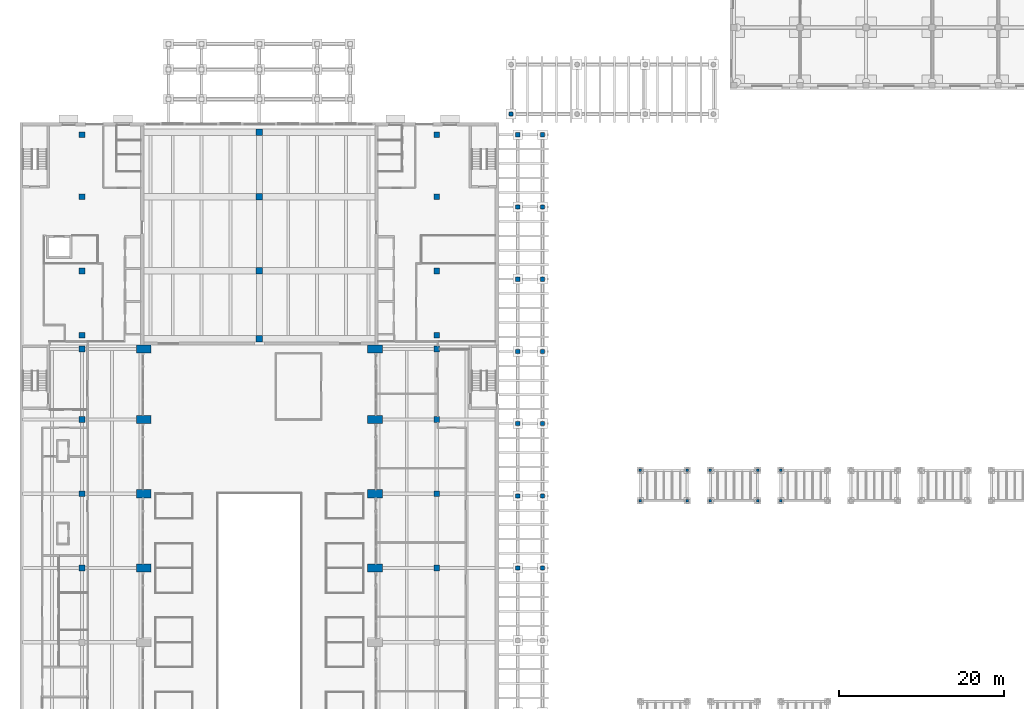
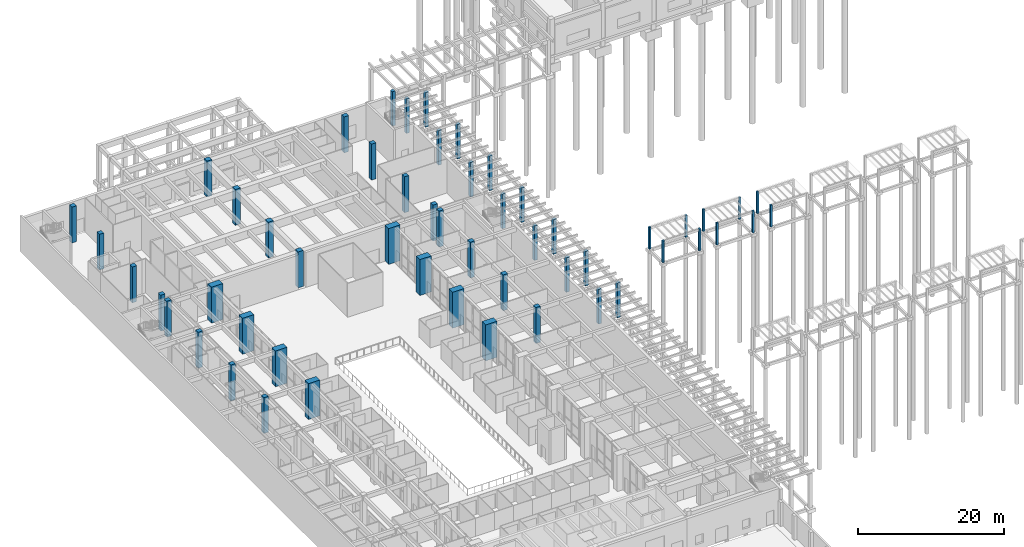
# One storey, part 7 of 51: 53 columns.
"""IFC4 building model written with IfcOpenShell, lengths in metres."""

import ifcopenshell
import ifcopenshell.guid

model = None  # the IFC model being written
_history = None  # IfcOwnerHistory: only IFC2X3 demands one
_inside = {}  # id of a spatial element -> (the spatial element, [elements in it])
_under = {}  # id of a project, library or spatial element -> (it, [spatial elements below it])
_declared = {}  # id of a project -> (the project, [libraries it declares])
_typed = {}  # id of a type object -> (the type object, [elements of that type])
_made_of = {}  # id of a material, layer set ... -> (it, [elements and type objects made of it])


def new_model(schema):
    """Start an empty IFC model of exactly this schema.

    Asked for "IFC4X3", IfcOpenShell would pick the latest addendum, in which some entities
    have other attributes; the version numbers below select the first issue.
    IFC2X3 requires an IfcOwnerHistory on every rooted entity: one is made here for all.
    """
    global model, _history
    if schema == "IFC4X3":
        model = ifcopenshell.file(schema_version=(4, 3, 0, 0))
    else:
        model = ifcopenshell.file(schema=schema)
    _inside.clear()
    _under.clear()
    _declared.clear()
    _typed.clear()
    _made_of.clear()
    _history = None
    if model.schema == "IFC2X3":
        org = make("IfcOrganization", Name="unknown")
        user = make(
            "IfcPersonAndOrganization",
            ThePerson=make("IfcPerson", FamilyName="unknown"),
            TheOrganization=org,
        )
        app = make(
            "IfcApplication",
            ApplicationDeveloper=org,
            Version="unknown",
            ApplicationFullName="unknown",
            ApplicationIdentifier="unknown",
        )
        _history = make(
            "IfcOwnerHistory",
            OwningUser=user,
            OwningApplication=app,
            ChangeAction="ADDED",
            CreationDate=0,
        )
    return model


def make(cls, **values):
    """One entity of the class cls with the attributes given. An attribute that is None is left unset."""
    return model.create_entity(
        cls, **{name: value for name, value in values.items() if value is not None}
    )


def rooted(cls, **values):
    """An entity with a GlobalId (a new one), such as an element, a storey or a relation."""
    return make(cls, GlobalId=ifcopenshell.guid.new(), OwnerHistory=_history, **values)


def si_unit(unit_type, name, prefix=None):
    """IfcSIUnit, for example si_unit("LENGTHUNIT", "METRE", prefix="MILLI")."""
    return make("IfcSIUnit", UnitType=unit_type, Prefix=prefix, Name=name)


def assignment(units):
    """IfcUnitAssignment: the units of a project."""
    return None if units is None else make("IfcUnitAssignment", Units=units)


def point(xyz):
    """IfcCartesianPoint."""
    return None if xyz is None else make("IfcCartesianPoint", Coordinates=xyz)


def direction(xyz):
    """IfcDirection."""
    return None if xyz is None else make("IfcDirection", DirectionRatios=xyz)


def frame(location, z_axis=None, x_axis=None):
    """IfcAxis2Placement3D, a coordinate frame: its origin and axes. An axis left out is left unset."""
    return make(
        "IfcAxis2Placement3D",
        Location=point(location),
        Axis=direction(z_axis),
        RefDirection=direction(x_axis),
    )


def frame_2d(location, x_axis=None):
    """IfcAxis2Placement2D, a coordinate frame in the plane: its origin and x axis."""
    return make(
        "IfcAxis2Placement2D", Location=point(location), RefDirection=direction(x_axis)
    )


def origin():
    """The frame at (0, 0, 0) with its axes left unset."""
    return frame((0.0, 0.0, 0.0))


def origin_2d():
    """The frame at (0, 0) in the plane with its x axis left unset."""
    return frame_2d((0.0, 0.0))


def place(relative_to, where):
    """IfcLocalPlacement: puts the frame where relative to a parent placement (None: the world)."""
    return make(
        "IfcLocalPlacement", PlacementRelTo=relative_to, RelativePlacement=where
    )


def context(
    kind, dimensions, precision=None, world=None, true_north=None, identifier=None
):
    """IfcGeometricRepresentationContext, for example the 3D "Model" context."""
    return make(
        "IfcGeometricRepresentationContext",
        ContextIdentifier=identifier,
        ContextType=kind,
        CoordinateSpaceDimension=dimensions,
        Precision=precision,
        WorldCoordinateSystem=world,
        TrueNorth=true_north,
    )


def subcontext(parent, identifier, kind, view, scale=None):
    """IfcGeometricRepresentationSubContext, for example "Body" below "Model"."""
    return make(
        "IfcGeometricRepresentationSubContext",
        ContextIdentifier=identifier,
        ContextType=kind,
        ParentContext=parent,
        TargetScale=scale,
        TargetView=view,
    )


def project(units=None, contexts=None):
    """IfcProject with its units and contexts."""
    return rooted(
        "IfcProject",
        Name="project",
        RepresentationContexts=contexts,
        UnitsInContext=assignment(units),
    )


def spatial(cls, under=None, at=None, **own):
    """A site, building, storey or space (cls), placed at a placement, below another one or the project."""
    s = rooted(cls, ObjectPlacement=at, **own)
    if under is not None:
        _under.setdefault(under.id(), (under, []))[1].append(s)
    return s


def profile(cls, at=None, kind="AREA", **sizes):
    """A parametric profile (cls). Its sizes go by their IFC names, for example OverallWidth=200.0."""
    return make(cls, ProfileType=kind, Position=at, **sizes)


def rectangle(**sizes):
    """IfcRectangleProfileDef."""
    return profile("IfcRectangleProfileDef", **sizes)


def extrude(swept, where, along, depth):
    """IfcExtrudedAreaSolid: the profile swept, set in the frame where, extruded along a direction by depth."""
    return make(
        "IfcExtrudedAreaSolid",
        SweptArea=swept,
        Position=where,
        ExtrudedDirection=direction(along),
        Depth=depth,
    )


def shape(context_of_items, identifier, shape_type, items):
    """IfcShapeRepresentation: the items that make up one representation, for example the "Body"."""
    return make(
        "IfcShapeRepresentation",
        ContextOfItems=context_of_items,
        RepresentationIdentifier=identifier,
        RepresentationType=shape_type,
        Items=items,
    )


def material(Name=None, Category=None):
    """IfcMaterial."""
    return make("IfcMaterial", Name=Name, Category=Category)


def material_profile(
    of_material, cross_section, Name=None, Category=None, Priority=None
):
    """IfcMaterialProfile: a cross section and its material."""
    return make(
        "IfcMaterialProfile",
        Name=Name,
        Material=of_material,
        Profile=cross_section,
        Priority=Priority,
        Category=Category,
    )


def profile_set(profiles, Name=None, composite=None):
    """IfcMaterialProfileSet."""
    return make(
        "IfcMaterialProfileSet",
        Name=Name,
        MaterialProfiles=profiles,
        CompositeProfile=composite,
    )


def made_of(thing, what):
    """Note that an element or type object is made of a material, layer set ...; save() writes the relation."""
    if what is not None:
        _made_of.setdefault(what.id(), (what, []))[1].append(thing)
    return thing


def type_object(cls, material=None, **own):
    """A type object (cls), such as IfcWallType, which elements share."""
    return made_of(rooted(cls, **own), material)


def element(
    cls,
    number,
    at=None,
    inside=None,
    cuts=None,
    type_object=None,
    material=None,
    context=None,
    identifier="Body",
    shape_type=None,
    held_by="IfcProductDefinitionShape",
    body=None,
    shapes=None,
    **own,
):
    """One element of the class cls, such as IfcWall. Its Tag is "e" and its number.

    at: its placement. inside: the storey or other place that contains it. cuts: it is an
    opening in that element (IfcRelVoidsElement). A single representation is given by context,
    identifier, shape_type and body (its items); several are given by shapes. held_by: the class
    of the entity that holds the representations. save() writes the other relations.
    """
    e = rooted(cls, Tag="e%d" % number, ObjectPlacement=at, **own)
    if body is not None:
        shapes = [shape(context, identifier, shape_type, body)]
    if shapes is not None:
        e.Representation = make(held_by, Representations=shapes)
    if inside is not None:
        _inside.setdefault(inside.id(), (inside, []))[1].append(e)
    if cuts is not None:
        rooted(
            "IfcRelVoidsElement", RelatingBuildingElement=cuts, RelatedOpeningElement=e
        )
    if type_object is not None:
        _typed.setdefault(type_object.id(), (type_object, []))[1].append(e)
    return made_of(e, material)


def aggregate(whole, parts):
    """IfcRelAggregates: a whole, such as a stair, and the parts it consists of."""
    return rooted("IfcRelAggregates", RelatingObject=whole, RelatedObjects=parts)


def save(model, path):
    """Write the relations noted so far, then the file.

    IfcRelAggregates (storeys below a building ...), IfcRelContainedInSpatialStructure (elements
    in a storey), IfcRelDefinesByType, IfcRelAssociatesMaterial and IfcRelDeclares: one each for
    every whole, place, type object, material and project.
    """
    for whole, parts in _under.values():
        aggregate(whole, parts)
    for where, things in _inside.values():
        rooted(
            "IfcRelContainedInSpatialStructure",
            RelatedElements=things,
            RelatingStructure=where,
        )
    for kind, things in _typed.values():
        rooted("IfcRelDefinesByType", RelatedObjects=things, RelatingType=kind)
    for what, things in _made_of.values():
        rooted("IfcRelAssociatesMaterial", RelatedObjects=things, RelatingMaterial=what)
    for by, libraries in _declared.values():
        rooted("IfcRelDeclares", RelatingContext=by, RelatedDefinitions=libraries)
    model.write(path)


model = new_model("IFC4")

# Units and contexts
model_context = context("Model", 3, precision=1e-05, world=origin(), true_north=direction((0.0, 1.0)))
body_context = subcontext(model_context, "Body", "Model", "MODEL_VIEW")
ifc_project = project(units=[si_unit("LENGTHUNIT", "METRE"), si_unit("AREAUNIT", "SQUARE_METRE"), si_unit("VOLUMEUNIT", "CUBIC_METRE"), si_unit("PLANEANGLEUNIT", "RADIAN"), si_unit("MASSUNIT", "GRAM", prefix="KILO")], contexts=[model_context])

# Site, building, storey
site_placement = place(None, origin())
site = spatial("IfcSite", under=ifc_project, at=site_placement, CompositionType="ELEMENT")
building_placement = place(site_placement, origin())
building = spatial("IfcBuilding", under=site, at=building_placement, Name="Elmora Arch Market Hall", CompositionType="ELEMENT")
storey_placement = place(building_placement, origin())
storey = spatial("IfcBuildingStorey", under=building, at=storey_placement, Name="L00", CompositionType="ELEMENT", Elevation=0.0)

# Columns
ifc_material_1 = material(Name="Concrete C40/50", Category="concrete")
ifc_material_profile_1 = material_profile(ifc_material_1, rectangle(XDim=0.800048828125, YDim=0.800048828125, at=origin_2d()), Name="Gate column 800x800")
ifc_profile_set_1 = profile_set([ifc_material_profile_1], Name="Concrete C40/50")
column_type_1 = type_object("IfcColumnType", Name="Gate column 800x800", PredefinedType="COLUMN", material=ifc_profile_set_1)
for number, where, z_axis, x_axis, name in (
    (1, (29.0, 99.800048828125, 0.0), (0.0, 0.0, 1.0), (1.0, 0.0, 0.0), "Gate column GT1 L00"),
    (2, (29.0, 108.0, 0.0), (0.0, 0.0, 1.0), (1.0, 0.0, 0.0), "Gate column GT2 L00"),
    (3, (29.0, 117.0, 0.0), (0.0, 0.0, 1.0), (1.0, 0.0, 0.0), "Gate column GT3 L00"),
    (4, (29.0, 124.800048828125, 0.0), (0.0, 0.0, 1.0), (1.0, 0.0, 0.0), "Gate column GT4 L00"),
):
    element("IfcColumn", number, at=place(storey_placement, frame(where, z_axis=z_axis, x_axis=x_axis)), inside=storey, type_object=column_type_1, Name=name, PredefinedType="COLUMN", context=body_context, shape_type="SweptSolid", body=[
        extrude(rectangle(XDim=0.800048828125, YDim=0.800048828125, at=origin_2d()), origin(), (0.0, 0.0, 1.0), 6.0),
    ])
ifc_material_2 = material(Name="Concrete C40/50", Category="concrete")
ifc_material_profile_2 = material_profile(ifc_material_2, rectangle(XDim=1.800048828125, YDim=1.0, at=origin_2d()), Name="Hall pier")
ifc_profile_set_2 = profile_set([ifc_material_profile_2], Name="Concrete C40/50")
column_type_2 = type_object("IfcColumnType", Name="Hall pier", PredefinedType="COLUMN", material=ifc_profile_set_2)
for number, where, z_axis, x_axis, name in (
    (5, (15.0, 72.0, 0.0), (0.0, 0.0, 1.0), (1.0, 0.0, 0.0), "Hall pier 06W L00"),
    (6, (43.0, 72.0, 0.0), (0.0, 0.0, 1.0), (1.0, 0.0, 0.0), "Hall pier 06E L00"),
    (7, (15.0, 81.0, 0.0), (0.0, 0.0, 1.0), (1.0, 0.0, 0.0), "Hall pier 07W L00"),
    (8, (43.0, 81.0, 0.0), (0.0, 0.0, 1.0), (1.0, 0.0, 0.0), "Hall pier 07E L00"),
    (9, (15.0, 90.0, 0.0), (0.0, 0.0, 1.0), (1.0, 0.0, 0.0), "Hall pier 08W L00"),
    (10, (43.0, 90.0, 0.0), (0.0, 0.0, 1.0), (1.0, 0.0, 0.0), "Hall pier 08E L00"),
    (11, (15.0, 98.550048828125, 0.0), (0.0, 0.0, 1.0), (1.0, 0.0, 0.0), "Hall pier 09W L00"),
    (12, (43.0, 98.550048828125, 0.0), (0.0, 0.0, 1.0), (1.0, 0.0, 0.0), "Hall pier 09E L00"),
):
    element("IfcColumn", number, at=place(storey_placement, frame(where, z_axis=z_axis, x_axis=x_axis)), inside=storey, type_object=column_type_2, Name=name, PredefinedType="COLUMN", context=body_context, shape_type="SweptSolid", body=[
        extrude(rectangle(XDim=1.800048828125, YDim=1.0, at=origin_2d()), origin(), (0.0, 0.0, 1.0), 6.0),
    ])
ifc_material_3 = material(Name="Concrete C40/50", Category="concrete")
ifc_material_profile_3 = material_profile(ifc_material_3, rectangle(XDim=0.5, YDim=0.5, at=origin_2d()), Name="Passage column 500x500")
ifc_profile_set_3 = profile_set([ifc_material_profile_3], Name="Concrete C40/50")
column_type_3 = type_object("IfcColumnType", Name="Passage column 500x500", PredefinedType="COLUMN", material=ifc_profile_set_3)
for number, where, z_axis, x_axis, name in (
    (13, (60.300048828125, 72.0, -0.300048828125), (0.0, 0.0, 1.0), (1.0, 0.0, 0.0), "Passage column PASS-E-07 L00"),
    (14, (60.300048828125, 80.75, -0.300048828125), (0.0, 0.0, 1.0), (1.0, 0.0, 0.0), "Passage column PASS-E-08 L00"),
    (15, (60.300048828125, 89.5, -0.300048828125), (0.0, 0.0, 1.0), (1.0, 0.0, 0.0), "Passage column PASS-E-09 L00"),
    (16, (60.300048828125, 98.25, -0.300048828125), (0.0, 0.0, 1.0), (1.0, 0.0, 0.0), "Passage column PASS-E-10 L00"),
    (17, (60.300048828125, 107.0, -0.300048828125), (0.0, 0.0, 1.0), (1.0, 0.0, 0.0), "Passage column PASS-E-11 L00"),
    (18, (60.300048828125, 115.75, -0.300048828125), (0.0, 0.0, 1.0), (1.0, 0.0, 0.0), "Passage column PASS-E-12 L00"),
    (19, (60.300048828125, 124.5, -0.300048828125), (0.0, 0.0, 1.0), (1.0, 0.0, 0.0), "Passage column PASS-E-13 L00"),
    (20, (63.300048828125, 72.0, -0.300048828125), (0.0, 0.0, 1.0), (1.0, 0.0, 0.0), "Passage column PASS-E-20 L00"),
    (21, (63.300048828125, 80.75, -0.300048828125), (0.0, 0.0, 1.0), (1.0, 0.0, 0.0), "Passage column PASS-E-21 L00"),
    (22, (63.300048828125, 89.5, -0.300048828125), (0.0, 0.0, 1.0), (1.0, 0.0, 0.0), "Passage column PASS-E-22 L00"),
    (23, (63.300048828125, 98.25, -0.300048828125), (0.0, 0.0, 1.0), (1.0, 0.0, 0.0), "Passage column PASS-E-23 L00"),
    (24, (63.300048828125, 107.0, -0.300048828125), (0.0, 0.0, 1.0), (1.0, 0.0, 0.0), "Passage column PASS-E-24 L00"),
    (25, (63.300048828125, 115.75, -0.300048828125), (0.0, 0.0, 1.0), (1.0, 0.0, 0.0), "Passage column PASS-E-25 L00"),
    (26, (63.300048828125, 124.5, -0.300048828125), (0.0, 0.0, 1.0), (1.0, 0.0, 0.0), "Passage column PASS-E-26 L00"),
    (27, (59.5, 127.0, -0.300048828125), (0.0, 0.0, 1.0), (1.0, 0.0, 0.0), "Passage column PASS-N-01 L00"),
):
    element("IfcColumn", number, at=place(storey_placement, frame(where, z_axis=z_axis, x_axis=x_axis)), inside=storey, type_object=column_type_3, Name=name, PredefinedType="COLUMN", context=body_context, shape_type="SweptSolid", body=[
        extrude(rectangle(XDim=0.5, YDim=0.5, at=origin_2d()), origin(), (0.0, 0.0, 1.0), 5.75),
    ])
ifc_material_4 = material(Name="Concrete C40/50", Category="concrete")
ifc_material_profile_4 = material_profile(ifc_material_4, rectangle(XDim=0.699951171875, YDim=0.699951171875, at=origin_2d()), Name="Pavilion column 700x700")
ifc_profile_set_4 = profile_set([ifc_material_profile_4], Name="Concrete C40/50")
column_type_4 = type_object("IfcColumnType", Name="Pavilion column 700x700", PredefinedType="COLUMN", material=ifc_profile_set_4)
for number, where, z_axis, x_axis, name in (
    (28, (7.5, 100.199951171875, 0.0), (0.0, 0.0, 1.0), (1.0, 0.0, 0.0), "Pavilion column NW1 L00"),
    (29, (7.5, 108.0, 0.0), (0.0, 0.0, 1.0), (1.0, 0.0, 0.0), "Pavilion column NW2 L00"),
    (30, (7.5, 117.0, 0.0), (0.0, 0.0, 1.0), (1.0, 0.0, 0.0), "Pavilion column NW3 L00"),
    (31, (7.5, 124.5, 0.0), (0.0, 0.0, 1.0), (1.0, 0.0, 0.0), "Pavilion column NW4 L00"),
    (32, (50.5, 100.199951171875, 0.0), (0.0, 0.0, 1.0), (1.0, 0.0, 0.0), "Pavilion column NE1 L00"),
    (33, (50.5, 108.0, 0.0), (0.0, 0.0, 1.0), (1.0, 0.0, 0.0), "Pavilion column NE2 L00"),
    (34, (50.5, 117.0, 0.0), (0.0, 0.0, 1.0), (1.0, 0.0, 0.0), "Pavilion column NE3 L00"),
    (35, (50.5, 124.5, 0.0), (0.0, 0.0, 1.0), (1.0, 0.0, 0.0), "Pavilion column NE4 L00"),
):
    element("IfcColumn", number, at=place(storey_placement, frame(where, z_axis=z_axis, x_axis=x_axis)), inside=storey, type_object=column_type_4, Name=name, PredefinedType="COLUMN", context=body_context, shape_type="SweptSolid", body=[
        extrude(rectangle(XDim=0.699951171875, YDim=0.699951171875, at=origin_2d()), origin(), (0.0, 0.0, 1.0), 6.0),
    ])
ifc_material_5 = material(Name="Concrete C40/50", Category="concrete")
ifc_material_profile_5 = material_profile(ifc_material_5, rectangle(XDim=0.300048828125, YDim=0.300048828125, at=origin_2d()), Name="Stall column 300x300")
ifc_profile_set_5 = profile_set([ifc_material_profile_5], Name="Concrete C40/50")
column_type_5 = type_object("IfcColumnType", Name="Stall column 300x300", PredefinedType="COLUMN", material=ifc_profile_set_5)
for number, where, z_axis, x_axis, name in (
    (36, (75.14990234375, 80.14990234375, -0.300048828125), (0.0, 0.0, 1.0), (1.0, 0.0, 0.0), "Stall column STALL-21-1 L00"),
    (37, (80.85009765625, 80.14990234375, -0.300048828125), (0.0, 0.0, 1.0), (1.0, 0.0, 0.0), "Stall column STALL-21-2 L00"),
    (38, (75.14990234375, 83.85009765625, -0.300048828125), (0.0, 0.0, 1.0), (1.0, 0.0, 0.0), "Stall column STALL-21-3 L00"),
    (39, (80.85009765625, 83.85009765625, -0.300048828125), (0.0, 0.0, 1.0), (1.0, 0.0, 0.0), "Stall column STALL-21-4 L00"),
    (40, (83.64990234375, 80.14990234375, -0.300048828125), (0.0, 0.0, 1.0), (1.0, 0.0, 0.0), "Stall column STALL-22-1 L00"),
    (41, (89.35009765625, 80.14990234375, -0.300048828125), (0.0, 0.0, 1.0), (1.0, 0.0, 0.0), "Stall column STALL-22-2 L00"),
    (42, (83.64990234375, 83.85009765625, -0.300048828125), (0.0, 0.0, 1.0), (1.0, 0.0, 0.0), "Stall column STALL-22-3 L00"),
    (43, (89.35009765625, 83.85009765625, -0.300048828125), (0.0, 0.0, 1.0), (1.0, 0.0, 0.0), "Stall column STALL-22-4 L00"),
    (44, (92.14990234375, 80.14990234375, -0.300048828125), (0.0, 0.0, 1.0), (1.0, 0.0, 0.0), "Stall column STALL-23-1 L00"),
    (45, (92.14990234375, 83.85009765625, -0.300048828125), (0.0, 0.0, 1.0), (1.0, 0.0, 0.0), "Stall column STALL-23-3 L00"),
):
    element("IfcColumn", number, at=place(storey_placement, frame(where, z_axis=z_axis, x_axis=x_axis)), inside=storey, type_object=column_type_5, Name=name, PredefinedType="COLUMN", context=body_context, shape_type="SweptSolid", body=[
        extrude(rectangle(XDim=0.300048828125, YDim=0.300048828125, at=origin_2d()), origin(), (0.0, 0.0, 1.0), 3.650146484375),
    ])
ifc_material_6 = material(Name="Concrete C40/50", Category="concrete")
ifc_material_profile_6 = material_profile(ifc_material_6, rectangle(XDim=0.699951171875, YDim=0.699951171875, at=origin_2d()), Name="Wing column 700x700")
ifc_profile_set_6 = profile_set([ifc_material_profile_6], Name="Concrete C40/50")
column_type_6 = type_object("IfcColumnType", Name="Wing column 700x700", PredefinedType="COLUMN", material=ifc_profile_set_6)
for number, where, z_axis, x_axis, name in (
    (46, (7.5, 72.0, 0.0), (0.0, 0.0, 1.0), (1.0, 0.0, 0.0), "Wing column W6 L00"),
    (47, (7.5, 81.0, 0.0), (0.0, 0.0, 1.0), (1.0, 0.0, 0.0), "Wing column W7 L00"),
    (48, (7.5, 90.0, 0.0), (0.0, 0.0, 1.0), (1.0, 0.0, 0.0), "Wing column W8 L00"),
    (49, (7.5, 98.550048828125, 0.0), (0.0, 0.0, 1.0), (1.0, 0.0, 0.0), "Wing column W9 L00"),
    (50, (50.5, 72.0, 0.0), (0.0, 0.0, 1.0), (1.0, 0.0, 0.0), "Wing column E6 L00"),
    (51, (50.5, 81.0, 0.0), (0.0, 0.0, 1.0), (1.0, 0.0, 0.0), "Wing column E7 L00"),
    (52, (50.5, 90.0, 0.0), (0.0, 0.0, 1.0), (1.0, 0.0, 0.0), "Wing column E8 L00"),
    (53, (50.5, 98.550048828125, 0.0), (0.0, 0.0, 1.0), (1.0, 0.0, 0.0), "Wing column E9 L00"),
):
    element("IfcColumn", number, at=place(storey_placement, frame(where, z_axis=z_axis, x_axis=x_axis)), inside=storey, type_object=column_type_6, Name=name, PredefinedType="COLUMN", context=body_context, shape_type="SweptSolid", body=[
        extrude(rectangle(XDim=0.699951171875, YDim=0.699951171875, at=origin_2d()), origin(), (0.0, 0.0, 1.0), 6.0),
    ])

save(model, "model.ifc")
